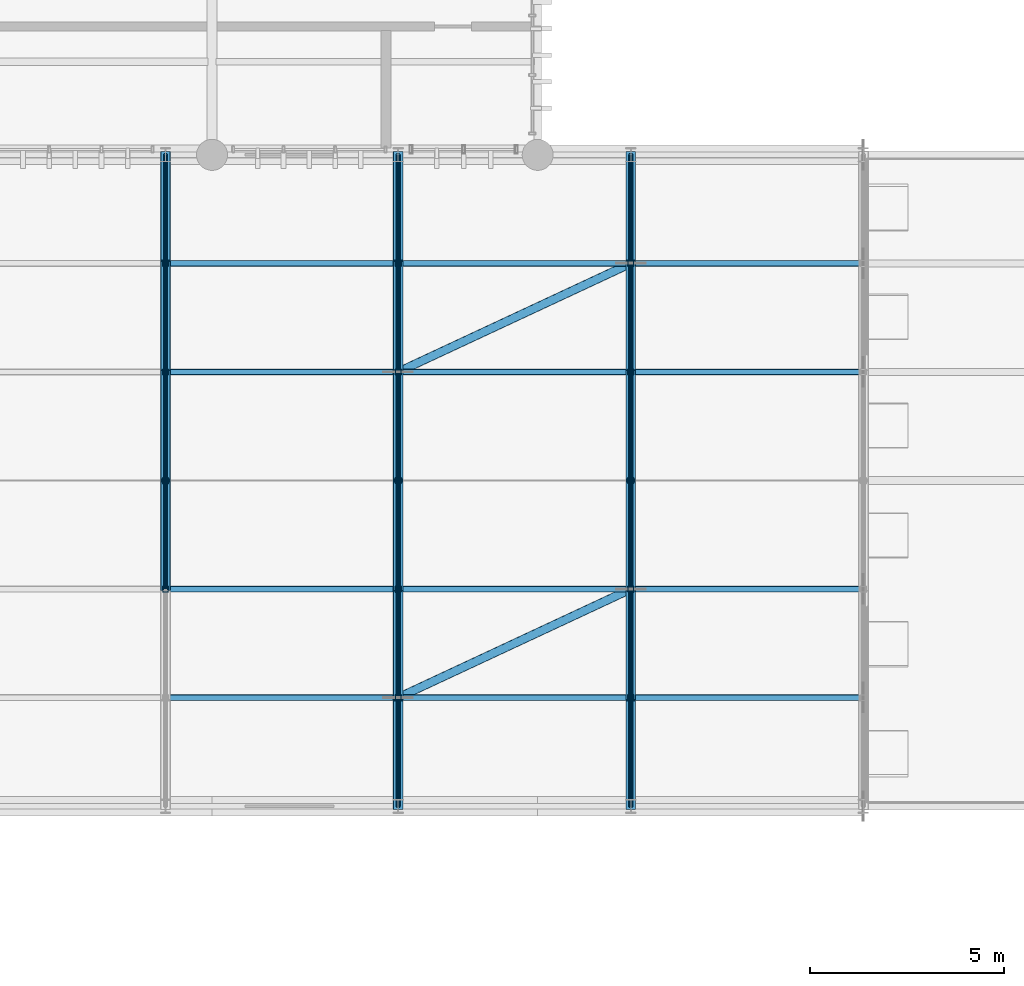
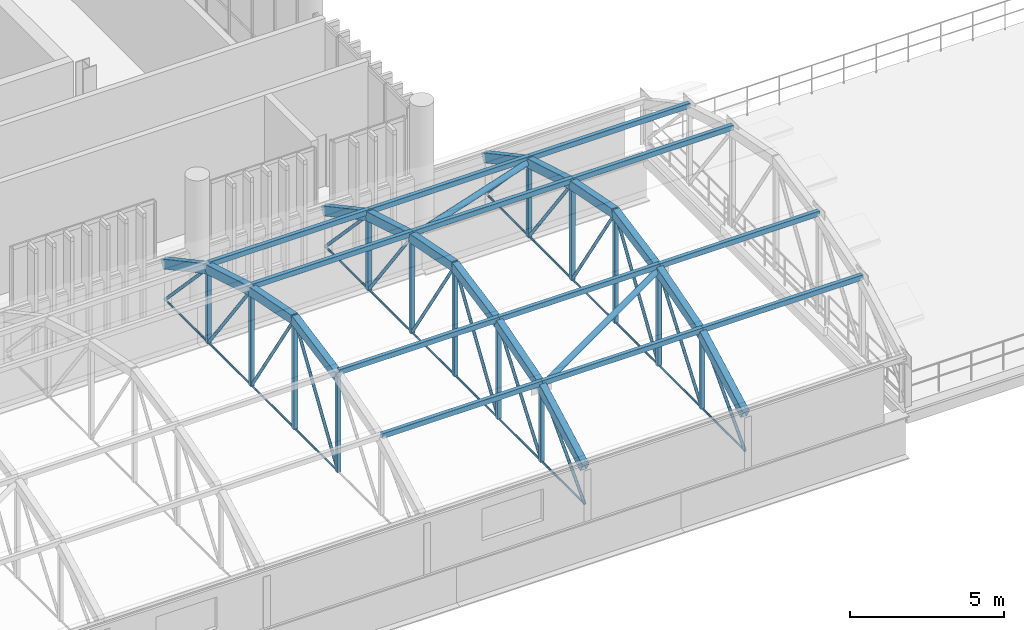
# One storey, part 46 of 109: 60 members, 16 beams.
"""IFC4 building model written with IfcOpenShell, lengths in metres."""

from ifc_helpers import new_model, si_unit, direction, frame, origin_with_axes, origin_2d_with_axis, place, context, subcontext, project, spatial, hollow_rectangle, circle, hollow_circle, extrude, material, material_profile, profile_set, type_object, element, save


model = new_model("IFC4")

# Units and contexts
model_context = context("Model", 3, precision=1e-05, world=origin_with_axes(), true_north=direction((0.0, 1.0)))
body_context = subcontext(model_context, "Body", "Model", "MODEL_VIEW")
ifc_project = project(units=[si_unit("LENGTHUNIT", "METRE"), si_unit("AREAUNIT", "SQUARE_METRE"), si_unit("VOLUMEUNIT", "CUBIC_METRE"), si_unit("PLANEANGLEUNIT", "RADIAN"), si_unit("MASSUNIT", "GRAM", prefix="KILO"), si_unit("THERMODYNAMICTEMPERATUREUNIT", "KELVIN")], contexts=[model_context])

# Site, building, storey
site_placement = place(None, origin_with_axes())
site = spatial("IfcSite", under=ifc_project, at=site_placement, CompositionType="ELEMENT")
building_placement = place(site_placement, origin_with_axes())
building = spatial("IfcBuilding", under=site, at=building_placement, Name="Montbau Bow Law Courts", CompositionType="ELEMENT")
storey_placement = place(building_placement, frame((0.0, 0.0, 10.8), z_axis=(0.0, 0.0, 1.0), x_axis=(1.0, 0.0, 0.0)))
storey = spatial("IfcBuildingStorey", under=building, at=storey_placement, Name="L02", CompositionType="ELEMENT", Elevation=10.8)

# Beams
ifc_material = material(Name="Steel CSA G40.21 Grade 350WT (350 MPa)", Category="steel")
ifc_material_profile_1 = material_profile(ifc_material, hollow_rectangle(XDim=0.254, YDim=0.356, WallThickness=0.0127, InnerFilletRadius=0.0254, OuterFilletRadius=0.0127, at=origin_2d_with_axis()), Name="HSS356X254X13", Category="Main", Priority=0)
ifc_profile_set_1 = profile_set([ifc_material_profile_1], Name="Steel CSA G40.21 Grade 350WT (350 MPa)")
beam_type = type_object("IfcBeamType", Name="B-ARC-01", PredefinedType="USERDEFINED", material=ifc_profile_set_1)
for number, where, z_axis, x_axis, name in (
    (1, (87.6, 27.8, 14.834), (0.0, 0.981513084, 0.191395051), (-1.0, 0.0, 0.0), "Barrel vault roof truss arch rib V4-075"),
    (2, (87.6, 30.6, 15.38), (0.0, 0.981513084, -0.191395051), (-1.0, 0.0, 0.0), "Barrel vault roof truss arch rib V4-076"),
):
    element("IfcBeam", number, at=place(None, frame(where, z_axis=z_axis, x_axis=x_axis)), inside=storey, type_object=beam_type, Name=name, ObjectType="ARCH_RIB", PredefinedType="USERDEFINED", context=body_context, shape_type="SweptSolid", body=[
        extrude(hollow_rectangle(XDim=0.254, YDim=0.356, WallThickness=0.0127, InnerFilletRadius=0.0254, OuterFilletRadius=0.0127, at=origin_2d_with_axis()), origin_with_axes(), (0.0, 0.0, 1.0), 2.852738),
    ])
beam_1_placement = place(None, frame((87.6, 33.4, 14.834), z_axis=(0.0, 0.958856822, -0.283890109), x_axis=(-1.0, 0.0, 0.0)))
element("IfcBeam", 3, at=beam_1_placement, inside=storey, type_object=beam_type, Name="Barrel vault roof truss arch rib V4-077", ObjectType="ARCH_RIB", PredefinedType="USERDEFINED", context=body_context, shape_type="SweptSolid", body=[
    extrude(hollow_rectangle(XDim=0.254, YDim=0.356, WallThickness=0.0127, InnerFilletRadius=0.0254, OuterFilletRadius=0.0127, at=origin_2d_with_axis()), origin_with_axes(), (0.0, 0.0, 1.0), 2.920144),
])
for number, where, z_axis, x_axis, name in (
    (4, (87.6, 36.2, 14.005), (0.0, 0.880824397, -0.473443113), (-1.0, 0.0, 0.0), "Barrel vault roof truss arch rib V4-078"),
    (5, (93.6, 22.2, 12.5), (0.0, 0.880824397, 0.473443113), (-1.0, 0.0, 0.0), "Barrel vault roof truss arch rib V4-079"),
):
    element("IfcBeam", number, at=place(None, frame(where, z_axis=z_axis, x_axis=x_axis)), inside=storey, type_object=beam_type, Name=name, ObjectType="ARCH_RIB", PredefinedType="USERDEFINED", context=body_context, shape_type="SweptSolid", body=[
        extrude(hollow_rectangle(XDim=0.254, YDim=0.356, WallThickness=0.0127, InnerFilletRadius=0.0254, OuterFilletRadius=0.0127, at=origin_2d_with_axis()), origin_with_axes(), (0.0, 0.0, 1.0), 3.17884),
    ])
beam_2_placement = place(None, frame((93.6, 25.0, 14.005), z_axis=(0.0, 0.958856822, 0.283890109), x_axis=(-1.0, 0.0, 0.0)))
element("IfcBeam", 6, at=beam_2_placement, inside=storey, type_object=beam_type, Name="Barrel vault roof truss arch rib V4-080", ObjectType="ARCH_RIB", PredefinedType="USERDEFINED", context=body_context, shape_type="SweptSolid", body=[
    extrude(hollow_rectangle(XDim=0.254, YDim=0.356, WallThickness=0.0127, InnerFilletRadius=0.0254, OuterFilletRadius=0.0127, at=origin_2d_with_axis()), origin_with_axes(), (0.0, 0.0, 1.0), 2.920144),
])
for number, where, z_axis, x_axis, name in (
    (7, (93.6, 27.8, 14.834), (0.0, 0.981513084, 0.191395051), (-1.0, 0.0, 0.0), "Barrel vault roof truss arch rib V4-081"),
    (8, (93.6, 30.6, 15.38), (0.0, 0.981513084, -0.191395051), (-1.0, 0.0, 0.0), "Barrel vault roof truss arch rib V4-082"),
):
    element("IfcBeam", number, at=place(None, frame(where, z_axis=z_axis, x_axis=x_axis)), inside=storey, type_object=beam_type, Name=name, ObjectType="ARCH_RIB", PredefinedType="USERDEFINED", context=body_context, shape_type="SweptSolid", body=[
        extrude(hollow_rectangle(XDim=0.254, YDim=0.356, WallThickness=0.0127, InnerFilletRadius=0.0254, OuterFilletRadius=0.0127, at=origin_2d_with_axis()), origin_with_axes(), (0.0, 0.0, 1.0), 2.852738),
    ])
beam_3_placement = place(None, frame((93.6, 33.4, 14.834), z_axis=(0.0, 0.958856822, -0.283890109), x_axis=(-1.0, 0.0, 0.0)))
element("IfcBeam", 9, at=beam_3_placement, inside=storey, type_object=beam_type, Name="Barrel vault roof truss arch rib V4-083", ObjectType="ARCH_RIB", PredefinedType="USERDEFINED", context=body_context, shape_type="SweptSolid", body=[
    extrude(hollow_rectangle(XDim=0.254, YDim=0.356, WallThickness=0.0127, InnerFilletRadius=0.0254, OuterFilletRadius=0.0127, at=origin_2d_with_axis()), origin_with_axes(), (0.0, 0.0, 1.0), 2.920144),
])
for number, where, z_axis, x_axis, name in (
    (10, (93.6, 36.2, 14.005), (0.0, 0.880824397, -0.473443113), (-1.0, 0.0, 0.0), "Barrel vault roof truss arch rib V4-084"),
    (11, (99.6, 22.2, 12.5), (0.0, 0.880824397, 0.473443113), (-1.0, 0.0, 0.0), "Barrel vault roof truss arch rib V4-085"),
):
    element("IfcBeam", number, at=place(None, frame(where, z_axis=z_axis, x_axis=x_axis)), inside=storey, type_object=beam_type, Name=name, ObjectType="ARCH_RIB", PredefinedType="USERDEFINED", context=body_context, shape_type="SweptSolid", body=[
        extrude(hollow_rectangle(XDim=0.254, YDim=0.356, WallThickness=0.0127, InnerFilletRadius=0.0254, OuterFilletRadius=0.0127, at=origin_2d_with_axis()), origin_with_axes(), (0.0, 0.0, 1.0), 3.17884),
    ])
beam_4_placement = place(None, frame((99.6, 25.0, 14.005), z_axis=(0.0, 0.958856822, 0.283890109), x_axis=(-1.0, 0.0, 0.0)))
element("IfcBeam", 12, at=beam_4_placement, inside=storey, type_object=beam_type, Name="Barrel vault roof truss arch rib V4-086", ObjectType="ARCH_RIB", PredefinedType="USERDEFINED", context=body_context, shape_type="SweptSolid", body=[
    extrude(hollow_rectangle(XDim=0.254, YDim=0.356, WallThickness=0.0127, InnerFilletRadius=0.0254, OuterFilletRadius=0.0127, at=origin_2d_with_axis()), origin_with_axes(), (0.0, 0.0, 1.0), 2.920144),
])
for number, where, z_axis, x_axis, name in (
    (13, (99.6, 27.8, 14.834), (0.0, 0.981513084, 0.191395051), (-1.0, 0.0, 0.0), "Barrel vault roof truss arch rib V4-087"),
    (14, (99.6, 30.6, 15.38), (0.0, 0.981513084, -0.191395051), (-1.0, 0.0, 0.0), "Barrel vault roof truss arch rib V4-088"),
):
    element("IfcBeam", number, at=place(None, frame(where, z_axis=z_axis, x_axis=x_axis)), inside=storey, type_object=beam_type, Name=name, ObjectType="ARCH_RIB", PredefinedType="USERDEFINED", context=body_context, shape_type="SweptSolid", body=[
        extrude(hollow_rectangle(XDim=0.254, YDim=0.356, WallThickness=0.0127, InnerFilletRadius=0.0254, OuterFilletRadius=0.0127, at=origin_2d_with_axis()), origin_with_axes(), (0.0, 0.0, 1.0), 2.852738),
    ])
beam_5_placement = place(None, frame((99.6, 33.4, 14.834), z_axis=(0.0, 0.958856822, -0.283890109), x_axis=(-1.0, 0.0, 0.0)))
element("IfcBeam", 15, at=beam_5_placement, inside=storey, type_object=beam_type, Name="Barrel vault roof truss arch rib V4-089", ObjectType="ARCH_RIB", PredefinedType="USERDEFINED", context=body_context, shape_type="SweptSolid", body=[
    extrude(hollow_rectangle(XDim=0.254, YDim=0.356, WallThickness=0.0127, InnerFilletRadius=0.0254, OuterFilletRadius=0.0127, at=origin_2d_with_axis()), origin_with_axes(), (0.0, 0.0, 1.0), 2.920144),
])
beam_6_placement = place(None, frame((99.6, 36.2, 14.005), z_axis=(0.0, 0.880824397, -0.473443113), x_axis=(-1.0, 0.0, 0.0)))
element("IfcBeam", 16, at=beam_6_placement, inside=storey, type_object=beam_type, Name="Barrel vault roof truss arch rib V4-090", ObjectType="ARCH_RIB", PredefinedType="USERDEFINED", context=body_context, shape_type="SweptSolid", body=[
    extrude(hollow_rectangle(XDim=0.254, YDim=0.356, WallThickness=0.0127, InnerFilletRadius=0.0254, OuterFilletRadius=0.0127, at=origin_2d_with_axis()), origin_with_axes(), (0.0, 0.0, 1.0), 3.17884),
])

# Members
ifc_material_profile_2 = material_profile(ifc_material, hollow_circle(Radius=0.1095, WallThickness=0.0111, at=origin_2d_with_axis()), Name="HSS219X11", Category="Main", Priority=0)
ifc_profile_set_2 = profile_set([ifc_material_profile_2], Name="Steel CSA G40.21 Grade 350WT (350 MPa)")
member_type_1 = type_object("IfcMemberType", Name="M-BRC-04", PredefinedType="BRACE", material=ifc_profile_set_2)
for number, where, z_axis, x_axis, name in (
    (17, (93.6, 25.0, 14.005), (0.899162854, 0.419609332, 0.124234334), (-0.422885465, 0.90618314, 0.0), "Diagonal brace VBR-V4-087"),
    (18, (93.6, 33.4, 14.834), (0.899162854, 0.419609332, -0.124234334), (-0.422885465, 0.90618314, 0.0), "Diagonal brace VBR-V4-088"),
):
    element("IfcMember", number, at=place(None, frame(where, z_axis=z_axis, x_axis=x_axis)), inside=storey, type_object=member_type_1, Name=name, PredefinedType="BRACE", context=body_context, shape_type="SweptSolid", body=[
        extrude(hollow_circle(Radius=0.1095, WallThickness=0.0111, at=origin_2d_with_axis()), origin_with_axes(), (0.0, 0.0, 1.0), 6.672874),
    ])
ifc_material_profile_3 = material_profile(ifc_material, hollow_rectangle(XDim=0.152, YDim=0.203, WallThickness=0.0095, InnerFilletRadius=0.019, OuterFilletRadius=0.0095, at=origin_2d_with_axis()), Name="HSS203X152X9.5", Category="Main", Priority=0)
ifc_profile_set_3 = profile_set([ifc_material_profile_3], Name="Steel CSA G40.21 Grade 350WT (350 MPa)")
member_type_2 = type_object("IfcMemberType", Name="M-PUR-01", PredefinedType="PURLIN", material=ifc_profile_set_3)
for number, where, z_axis, x_axis, name in (
    (19, (87.6, 25.0, 14.163), (1.0, 0.0, 0.0), (0.0, 1.0, 0.0), "Barrel vault roof truss purlin V4-079"),
    (20, (87.6, 27.8, 14.992), (1.0, 0.0, 0.0), (0.0, 1.0, 0.0), "Barrel vault roof truss purlin V4-080"),
    (21, (87.6, 33.4, 14.992), (1.0, 0.0, 0.0), (0.0, 1.0, 0.0), "Barrel vault roof truss purlin V4-082"),
    (22, (87.6, 36.2, 14.163), (1.0, 0.0, 0.0), (0.0, 1.0, 0.0), "Barrel vault roof truss purlin V4-083"),
    (23, (93.6, 25.0, 14.163), (1.0, 0.0, 0.0), (0.0, 1.0, 0.0), "Barrel vault roof truss purlin V4-086"),
    (24, (93.6, 27.8, 14.992), (1.0, 0.0, 0.0), (0.0, 1.0, 0.0), "Barrel vault roof truss purlin V4-087"),
    (25, (93.6, 33.4, 14.992), (1.0, 0.0, 0.0), (0.0, 1.0, 0.0), "Barrel vault roof truss purlin V4-089"),
    (26, (93.6, 36.2, 14.163), (1.0, 0.0, 0.0), (0.0, 1.0, 0.0), "Barrel vault roof truss purlin V4-090"),
    (27, (99.6, 25.0, 14.163), (1.0, 0.0, 0.0), (0.0, 1.0, 0.0), "Barrel vault roof truss purlin V4-093"),
    (28, (99.6, 27.8, 14.992), (1.0, 0.0, 0.0), (0.0, 1.0, 0.0), "Barrel vault roof truss purlin V4-094"),
    (29, (99.6, 33.4, 14.992), (1.0, 0.0, 0.0), (0.0, 1.0, 0.0), "Barrel vault roof truss purlin V4-096"),
    (30, (99.6, 36.2, 14.163), (1.0, 0.0, 0.0), (0.0, 1.0, 0.0), "Barrel vault roof truss purlin V4-097"),
):
    element("IfcMember", number, at=place(None, frame(where, z_axis=z_axis, x_axis=x_axis)), inside=storey, type_object=member_type_2, Name=name, PredefinedType="PURLIN", context=body_context, shape_type="SweptSolid", body=[
        extrude(hollow_rectangle(XDim=0.152, YDim=0.203, WallThickness=0.0095, InnerFilletRadius=0.019, OuterFilletRadius=0.0095, at=origin_2d_with_axis()), origin_with_axes(), (0.0, 0.0, 1.0), 6.0),
    ])
ifc_material_profile_4 = material_profile(ifc_material, hollow_rectangle(XDim=0.152, YDim=0.152, WallThickness=0.0095, InnerFilletRadius=0.019, OuterFilletRadius=0.0095, at=origin_2d_with_axis()), Name="HSS152X152X9.5", Category="Main", Priority=0)
ifc_profile_set_4 = profile_set([ifc_material_profile_4], Name="Steel CSA G40.21 Grade 350WT (350 MPa)")
member_type_3 = type_object("IfcMemberType", Name="M-STR-02", PredefinedType="STRUT", material=ifc_profile_set_4)
member_1_placement = place(None, frame((87.6, 27.8, 11.05), z_axis=(0.0, 0.0, 1.0), x_axis=(1.0, 0.0, 0.0)))
element("IfcMember", 31, at=member_1_placement, inside=storey, type_object=member_type_3, Name="Barrel vault roof truss web post V4-05-2", PredefinedType="STRUT", context=body_context, shape_type="SweptSolid", body=[
    extrude(hollow_rectangle(XDim=0.152, YDim=0.152, WallThickness=0.0095, InnerFilletRadius=0.019, OuterFilletRadius=0.0095, at=origin_2d_with_axis()), origin_with_axes(), (0.0, 0.0, 1.0), 3.784),
])
member_2_placement = place(None, frame((87.6, 30.6, 11.05), z_axis=(0.0, 0.0, 1.0), x_axis=(1.0, 0.0, 0.0)))
element("IfcMember", 32, at=member_2_placement, inside=storey, type_object=member_type_3, Name="Barrel vault roof truss web post V4-05-3", PredefinedType="STRUT", context=body_context, shape_type="SweptSolid", body=[
    extrude(hollow_rectangle(XDim=0.152, YDim=0.152, WallThickness=0.0095, InnerFilletRadius=0.019, OuterFilletRadius=0.0095, at=origin_2d_with_axis()), origin_with_axes(), (0.0, 0.0, 1.0), 4.33),
])
member_3_placement = place(None, frame((87.6, 33.4, 11.05), z_axis=(0.0, 0.0, 1.0), x_axis=(1.0, 0.0, 0.0)))
element("IfcMember", 33, at=member_3_placement, inside=storey, type_object=member_type_3, Name="Barrel vault roof truss web post V4-05-4", PredefinedType="STRUT", context=body_context, shape_type="SweptSolid", body=[
    extrude(hollow_rectangle(XDim=0.152, YDim=0.152, WallThickness=0.0095, InnerFilletRadius=0.019, OuterFilletRadius=0.0095, at=origin_2d_with_axis()), origin_with_axes(), (0.0, 0.0, 1.0), 3.784),
])
for number, where, z_axis, x_axis, name in (
    (34, (87.6, 36.2, 11.05), (0.0, 0.0, 1.0), (1.0, 0.0, 0.0), "Barrel vault roof truss web post V4-05-5"),
    (35, (93.6, 25.0, 11.05), (0.0, 0.0, 1.0), (1.0, 0.0, 0.0), "Barrel vault roof truss web post V4-06-1"),
):
    element("IfcMember", number, at=place(None, frame(where, z_axis=z_axis, x_axis=x_axis)), inside=storey, type_object=member_type_3, Name=name, PredefinedType="STRUT", context=body_context, shape_type="SweptSolid", body=[
        extrude(hollow_rectangle(XDim=0.152, YDim=0.152, WallThickness=0.0095, InnerFilletRadius=0.019, OuterFilletRadius=0.0095, at=origin_2d_with_axis()), origin_with_axes(), (0.0, 0.0, 1.0), 2.955),
    ])
member_4_placement = place(None, frame((93.6, 27.8, 11.05), z_axis=(0.0, 0.0, 1.0), x_axis=(1.0, 0.0, 0.0)))
element("IfcMember", 36, at=member_4_placement, inside=storey, type_object=member_type_3, Name="Barrel vault roof truss web post V4-06-2", PredefinedType="STRUT", context=body_context, shape_type="SweptSolid", body=[
    extrude(hollow_rectangle(XDim=0.152, YDim=0.152, WallThickness=0.0095, InnerFilletRadius=0.019, OuterFilletRadius=0.0095, at=origin_2d_with_axis()), origin_with_axes(), (0.0, 0.0, 1.0), 3.784),
])
member_5_placement = place(None, frame((93.6, 30.6, 11.05), z_axis=(0.0, 0.0, 1.0), x_axis=(1.0, 0.0, 0.0)))
element("IfcMember", 37, at=member_5_placement, inside=storey, type_object=member_type_3, Name="Barrel vault roof truss web post V4-06-3", PredefinedType="STRUT", context=body_context, shape_type="SweptSolid", body=[
    extrude(hollow_rectangle(XDim=0.152, YDim=0.152, WallThickness=0.0095, InnerFilletRadius=0.019, OuterFilletRadius=0.0095, at=origin_2d_with_axis()), origin_with_axes(), (0.0, 0.0, 1.0), 4.33),
])
member_6_placement = place(None, frame((93.6, 33.4, 11.05), z_axis=(0.0, 0.0, 1.0), x_axis=(1.0, 0.0, 0.0)))
element("IfcMember", 38, at=member_6_placement, inside=storey, type_object=member_type_3, Name="Barrel vault roof truss web post V4-06-4", PredefinedType="STRUT", context=body_context, shape_type="SweptSolid", body=[
    extrude(hollow_rectangle(XDim=0.152, YDim=0.152, WallThickness=0.0095, InnerFilletRadius=0.019, OuterFilletRadius=0.0095, at=origin_2d_with_axis()), origin_with_axes(), (0.0, 0.0, 1.0), 3.784),
])
for number, where, z_axis, x_axis, name in (
    (39, (93.6, 36.2, 11.05), (0.0, 0.0, 1.0), (1.0, 0.0, 0.0), "Barrel vault roof truss web post V4-06-5"),
    (40, (99.6, 25.0, 11.05), (0.0, 0.0, 1.0), (1.0, 0.0, 0.0), "Barrel vault roof truss web post V4-07-1"),
):
    element("IfcMember", number, at=place(None, frame(where, z_axis=z_axis, x_axis=x_axis)), inside=storey, type_object=member_type_3, Name=name, PredefinedType="STRUT", context=body_context, shape_type="SweptSolid", body=[
        extrude(hollow_rectangle(XDim=0.152, YDim=0.152, WallThickness=0.0095, InnerFilletRadius=0.019, OuterFilletRadius=0.0095, at=origin_2d_with_axis()), origin_with_axes(), (0.0, 0.0, 1.0), 2.955),
    ])
member_7_placement = place(None, frame((99.6, 27.8, 11.05), z_axis=(0.0, 0.0, 1.0), x_axis=(1.0, 0.0, 0.0)))
element("IfcMember", 41, at=member_7_placement, inside=storey, type_object=member_type_3, Name="Barrel vault roof truss web post V4-07-2", PredefinedType="STRUT", context=body_context, shape_type="SweptSolid", body=[
    extrude(hollow_rectangle(XDim=0.152, YDim=0.152, WallThickness=0.0095, InnerFilletRadius=0.019, OuterFilletRadius=0.0095, at=origin_2d_with_axis()), origin_with_axes(), (0.0, 0.0, 1.0), 3.784),
])
member_8_placement = place(None, frame((99.6, 30.6, 11.05), z_axis=(0.0, 0.0, 1.0), x_axis=(1.0, 0.0, 0.0)))
element("IfcMember", 42, at=member_8_placement, inside=storey, type_object=member_type_3, Name="Barrel vault roof truss web post V4-07-3", PredefinedType="STRUT", context=body_context, shape_type="SweptSolid", body=[
    extrude(hollow_rectangle(XDim=0.152, YDim=0.152, WallThickness=0.0095, InnerFilletRadius=0.019, OuterFilletRadius=0.0095, at=origin_2d_with_axis()), origin_with_axes(), (0.0, 0.0, 1.0), 4.33),
])
member_9_placement = place(None, frame((99.6, 33.4, 11.05), z_axis=(0.0, 0.0, 1.0), x_axis=(1.0, 0.0, 0.0)))
element("IfcMember", 43, at=member_9_placement, inside=storey, type_object=member_type_3, Name="Barrel vault roof truss web post V4-07-4", PredefinedType="STRUT", context=body_context, shape_type="SweptSolid", body=[
    extrude(hollow_rectangle(XDim=0.152, YDim=0.152, WallThickness=0.0095, InnerFilletRadius=0.019, OuterFilletRadius=0.0095, at=origin_2d_with_axis()), origin_with_axes(), (0.0, 0.0, 1.0), 3.784),
])
member_10_placement = place(None, frame((99.6, 36.2, 11.05), z_axis=(0.0, 0.0, 1.0), x_axis=(1.0, 0.0, 0.0)))
element("IfcMember", 44, at=member_10_placement, inside=storey, type_object=member_type_3, Name="Barrel vault roof truss web post V4-07-5", PredefinedType="STRUT", context=body_context, shape_type="SweptSolid", body=[
    extrude(hollow_rectangle(XDim=0.152, YDim=0.152, WallThickness=0.0095, InnerFilletRadius=0.019, OuterFilletRadius=0.0095, at=origin_2d_with_axis()), origin_with_axes(), (0.0, 0.0, 1.0), 2.955),
])
ifc_material_profile_5 = material_profile(ifc_material, hollow_circle(Radius=0.057, WallThickness=0.008, at=origin_2d_with_axis()), Name="HSS114X8.0", Category="Main", Priority=0)
ifc_profile_set_5 = profile_set([ifc_material_profile_5], Name="Steel CSA G40.21 Grade 350WT (350 MPa)")
member_type_4 = type_object("IfcMemberType", Name="M-STR-03", PredefinedType="STRUT", material=ifc_profile_set_5)
for number, where, z_axis, x_axis, name in (
    (45, (87.6, 27.8, 11.05), (0.0, 0.543010023, 0.839726214), (-1.0, 0.0, 0.0), "Barrel vault roof truss web diagonal V4-05-3"),
    (46, (87.6, 30.6, 15.38), (0.0, 0.543010023, -0.839726214), (-1.0, 0.0, 0.0), "Barrel vault roof truss web diagonal V4-05-4"),
):
    element("IfcMember", number, at=place(None, frame(where, z_axis=z_axis, x_axis=x_axis)), inside=storey, type_object=member_type_4, Name=name, PredefinedType="STRUT", context=body_context, shape_type="SweptSolid", body=[
        extrude(hollow_circle(Radius=0.057, WallThickness=0.008, at=origin_2d_with_axis()), origin_with_axes(), (0.0, 0.0, 1.0), 5.156443),
    ])
member_11_placement = place(None, frame((87.6, 33.4, 14.834), z_axis=(0.0, 0.594821042, -0.803858151), x_axis=(-1.0, 0.0, 0.0)))
element("IfcMember", 47, at=member_11_placement, inside=storey, type_object=member_type_4, Name="Barrel vault roof truss web diagonal V4-05-5", PredefinedType="STRUT", context=body_context, shape_type="SweptSolid", body=[
    extrude(hollow_circle(Radius=0.057, WallThickness=0.008, at=origin_2d_with_axis()), origin_with_axes(), (0.0, 0.0, 1.0), 4.707298),
])
for number, where, z_axis, x_axis, name in (
    (48, (87.6, 36.2, 14.005), (0.0, 0.687812781, -0.725888131), (-1.0, 0.0, 0.0), "Barrel vault roof truss web diagonal V4-05-6"),
    (49, (93.6, 22.2, 11.05), (0.0, 0.687812781, 0.725888131), (-1.0, 0.0, 0.0), "Barrel vault roof truss web diagonal V4-06-1"),
):
    element("IfcMember", number, at=place(None, frame(where, z_axis=z_axis, x_axis=x_axis)), inside=storey, type_object=member_type_4, Name=name, PredefinedType="STRUT", context=body_context, shape_type="SweptSolid", body=[
        extrude(hollow_circle(Radius=0.057, WallThickness=0.008, at=origin_2d_with_axis()), origin_with_axes(), (0.0, 0.0, 1.0), 4.070875),
    ])
member_12_placement = place(None, frame((93.6, 25.0, 11.05), z_axis=(0.0, 0.594821042, 0.803858151), x_axis=(-1.0, 0.0, 0.0)))
element("IfcMember", 50, at=member_12_placement, inside=storey, type_object=member_type_4, Name="Barrel vault roof truss web diagonal V4-06-2", PredefinedType="STRUT", context=body_context, shape_type="SweptSolid", body=[
    extrude(hollow_circle(Radius=0.057, WallThickness=0.008, at=origin_2d_with_axis()), origin_with_axes(), (0.0, 0.0, 1.0), 4.707298),
])
for number, where, z_axis, x_axis, name in (
    (51, (93.6, 27.8, 11.05), (0.0, 0.543010023, 0.839726214), (-1.0, 0.0, 0.0), "Barrel vault roof truss web diagonal V4-06-3"),
    (52, (93.6, 30.6, 15.38), (0.0, 0.543010023, -0.839726214), (-1.0, 0.0, 0.0), "Barrel vault roof truss web diagonal V4-06-4"),
):
    element("IfcMember", number, at=place(None, frame(where, z_axis=z_axis, x_axis=x_axis)), inside=storey, type_object=member_type_4, Name=name, PredefinedType="STRUT", context=body_context, shape_type="SweptSolid", body=[
        extrude(hollow_circle(Radius=0.057, WallThickness=0.008, at=origin_2d_with_axis()), origin_with_axes(), (0.0, 0.0, 1.0), 5.156443),
    ])
member_13_placement = place(None, frame((93.6, 33.4, 14.834), z_axis=(0.0, 0.594821042, -0.803858151), x_axis=(-1.0, 0.0, 0.0)))
element("IfcMember", 53, at=member_13_placement, inside=storey, type_object=member_type_4, Name="Barrel vault roof truss web diagonal V4-06-5", PredefinedType="STRUT", context=body_context, shape_type="SweptSolid", body=[
    extrude(hollow_circle(Radius=0.057, WallThickness=0.008, at=origin_2d_with_axis()), origin_with_axes(), (0.0, 0.0, 1.0), 4.707298),
])
for number, where, z_axis, x_axis, name in (
    (54, (93.6, 36.2, 14.005), (0.0, 0.687812781, -0.725888131), (-1.0, 0.0, 0.0), "Barrel vault roof truss web diagonal V4-06-6"),
    (55, (99.6, 22.2, 11.05), (0.0, 0.687812781, 0.725888131), (-1.0, 0.0, 0.0), "Barrel vault roof truss web diagonal V4-07-1"),
):
    element("IfcMember", number, at=place(None, frame(where, z_axis=z_axis, x_axis=x_axis)), inside=storey, type_object=member_type_4, Name=name, PredefinedType="STRUT", context=body_context, shape_type="SweptSolid", body=[
        extrude(hollow_circle(Radius=0.057, WallThickness=0.008, at=origin_2d_with_axis()), origin_with_axes(), (0.0, 0.0, 1.0), 4.070875),
    ])
member_14_placement = place(None, frame((99.6, 25.0, 11.05), z_axis=(0.0, 0.594821042, 0.803858151), x_axis=(-1.0, 0.0, 0.0)))
element("IfcMember", 56, at=member_14_placement, inside=storey, type_object=member_type_4, Name="Barrel vault roof truss web diagonal V4-07-2", PredefinedType="STRUT", context=body_context, shape_type="SweptSolid", body=[
    extrude(hollow_circle(Radius=0.057, WallThickness=0.008, at=origin_2d_with_axis()), origin_with_axes(), (0.0, 0.0, 1.0), 4.707298),
])
for number, where, z_axis, x_axis, name in (
    (57, (99.6, 27.8, 11.05), (0.0, 0.543010023, 0.839726214), (-1.0, 0.0, 0.0), "Barrel vault roof truss web diagonal V4-07-3"),
    (58, (99.6, 30.6, 15.38), (0.0, 0.543010023, -0.839726214), (-1.0, 0.0, 0.0), "Barrel vault roof truss web diagonal V4-07-4"),
):
    element("IfcMember", number, at=place(None, frame(where, z_axis=z_axis, x_axis=x_axis)), inside=storey, type_object=member_type_4, Name=name, PredefinedType="STRUT", context=body_context, shape_type="SweptSolid", body=[
        extrude(hollow_circle(Radius=0.057, WallThickness=0.008, at=origin_2d_with_axis()), origin_with_axes(), (0.0, 0.0, 1.0), 5.156443),
    ])
member_15_placement = place(None, frame((99.6, 33.4, 14.834), z_axis=(0.0, 0.594821042, -0.803858151), x_axis=(-1.0, 0.0, 0.0)))
element("IfcMember", 59, at=member_15_placement, inside=storey, type_object=member_type_4, Name="Barrel vault roof truss web diagonal V4-07-5", PredefinedType="STRUT", context=body_context, shape_type="SweptSolid", body=[
    extrude(hollow_circle(Radius=0.057, WallThickness=0.008, at=origin_2d_with_axis()), origin_with_axes(), (0.0, 0.0, 1.0), 4.707298),
])
member_16_placement = place(None, frame((99.6, 36.2, 14.005), z_axis=(0.0, 0.687812781, -0.725888131), x_axis=(-1.0, 0.0, 0.0)))
element("IfcMember", 60, at=member_16_placement, inside=storey, type_object=member_type_4, Name="Barrel vault roof truss web diagonal V4-07-6", PredefinedType="STRUT", context=body_context, shape_type="SweptSolid", body=[
    extrude(hollow_circle(Radius=0.057, WallThickness=0.008, at=origin_2d_with_axis()), origin_with_axes(), (0.0, 0.0, 1.0), 4.070875),
])
ifc_material_profile_6 = material_profile(ifc_material, circle(Radius=0.038, at=origin_2d_with_axis()), Name="ROD76", Category="Main", Priority=0)
ifc_profile_set_6 = profile_set([ifc_material_profile_6], Name="Steel CSA G40.21 Grade 350WT (350 MPa)")
member_type_5 = type_object("IfcMemberType", Name="M-TIE-01", PredefinedType="USERDEFINED", material=ifc_profile_set_6)
for number, where, z_axis, x_axis, name in (
    (61, (87.6, 27.8, 11.05), (0.0, 1.0, 0.0), (-1.0, 0.0, 0.0), "Barrel vault roof truss tie V4-075"),
    (62, (87.6, 30.6, 11.05), (0.0, 1.0, 0.0), (-1.0, 0.0, 0.0), "Barrel vault roof truss tie V4-076"),
    (63, (87.6, 33.4, 11.05), (0.0, 1.0, 0.0), (-1.0, 0.0, 0.0), "Barrel vault roof truss tie V4-077"),
    (64, (87.6, 36.2, 11.05), (0.0, 1.0, 0.0), (-1.0, 0.0, 0.0), "Barrel vault roof truss tie V4-078"),
    (65, (93.6, 22.2, 11.05), (0.0, 1.0, 0.0), (-1.0, 0.0, 0.0), "Barrel vault roof truss tie V4-079"),
    (66, (93.6, 25.0, 11.05), (0.0, 1.0, 0.0), (-1.0, 0.0, 0.0), "Barrel vault roof truss tie V4-080"),
    (67, (93.6, 27.8, 11.05), (0.0, 1.0, 0.0), (-1.0, 0.0, 0.0), "Barrel vault roof truss tie V4-081"),
    (68, (93.6, 30.6, 11.05), (0.0, 1.0, 0.0), (-1.0, 0.0, 0.0), "Barrel vault roof truss tie V4-082"),
    (69, (93.6, 33.4, 11.05), (0.0, 1.0, 0.0), (-1.0, 0.0, 0.0), "Barrel vault roof truss tie V4-083"),
    (70, (93.6, 36.2, 11.05), (0.0, 1.0, 0.0), (-1.0, 0.0, 0.0), "Barrel vault roof truss tie V4-084"),
    (71, (99.6, 22.2, 11.05), (0.0, 1.0, 0.0), (-1.0, 0.0, 0.0), "Barrel vault roof truss tie V4-085"),
    (72, (99.6, 25.0, 11.05), (0.0, 1.0, 0.0), (-1.0, 0.0, 0.0), "Barrel vault roof truss tie V4-086"),
    (73, (99.6, 27.8, 11.05), (0.0, 1.0, 0.0), (-1.0, 0.0, 0.0), "Barrel vault roof truss tie V4-087"),
    (74, (99.6, 30.6, 11.05), (0.0, 1.0, 0.0), (-1.0, 0.0, 0.0), "Barrel vault roof truss tie V4-088"),
    (75, (99.6, 33.4, 11.05), (0.0, 1.0, 0.0), (-1.0, 0.0, 0.0), "Barrel vault roof truss tie V4-089"),
    (76, (99.6, 36.2, 11.05), (0.0, 1.0, 0.0), (-1.0, 0.0, 0.0), "Barrel vault roof truss tie V4-090"),
):
    element("IfcMember", number, at=place(None, frame(where, z_axis=z_axis, x_axis=x_axis)), inside=storey, type_object=member_type_5, Name=name, ObjectType="TIEBAR", PredefinedType="USERDEFINED", context=body_context, shape_type="SweptSolid", body=[
        extrude(circle(Radius=0.038, at=origin_2d_with_axis()), origin_with_axes(), (0.0, 0.0, 1.0), 2.8),
    ])

save(model, "model.ifc")
